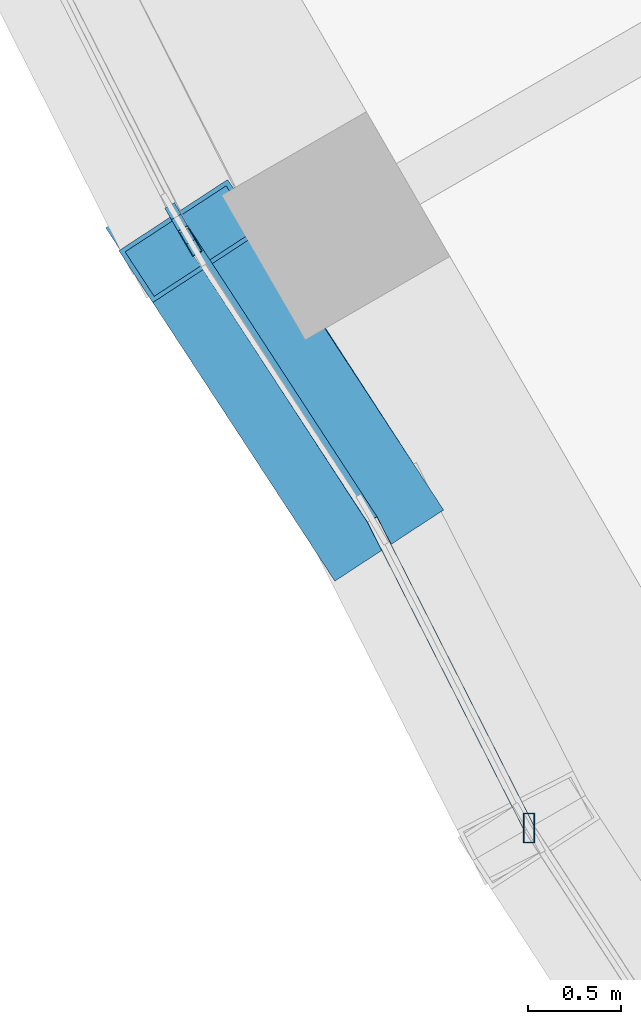
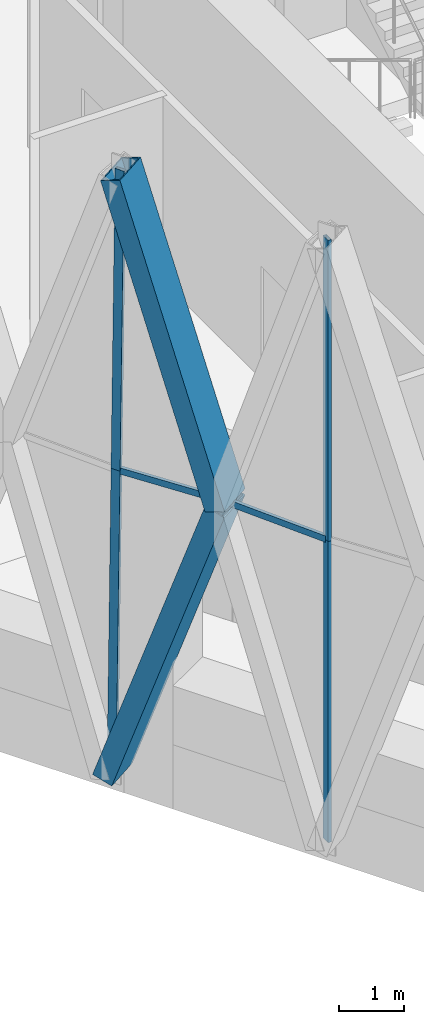
# One storey, part 3 of 22: 8 members, 2 elements without a shape of their own.
"""IFC4 building model written with IfcOpenShell, lengths in metres."""

import ifcopenshell
import ifcopenshell.guid

model = None  # the IFC model being written
_history = None  # IfcOwnerHistory: only IFC2X3 demands one
_inside = {}  # id of a spatial element -> (the spatial element, [elements in it])
_under = {}  # id of a project, library or spatial element -> (it, [spatial elements below it])
_declared = {}  # id of a project -> (the project, [libraries it declares])
_typed = {}  # id of a type object -> (the type object, [elements of that type])
_made_of = {}  # id of a material, layer set ... -> (it, [elements and type objects made of it])


def new_model(schema):
    """Start an empty IFC model of exactly this schema.

    Asked for "IFC4X3", IfcOpenShell would pick the latest addendum, in which some entities
    have other attributes; the version numbers below select the first issue.
    IFC2X3 requires an IfcOwnerHistory on every rooted entity: one is made here for all.
    """
    global model, _history
    if schema == "IFC4X3":
        model = ifcopenshell.file(schema_version=(4, 3, 0, 0))
    else:
        model = ifcopenshell.file(schema=schema)
    _inside.clear()
    _under.clear()
    _declared.clear()
    _typed.clear()
    _made_of.clear()
    _history = None
    if model.schema == "IFC2X3":
        org = make("IfcOrganization", Name="unknown")
        user = make(
            "IfcPersonAndOrganization",
            ThePerson=make("IfcPerson", FamilyName="unknown"),
            TheOrganization=org,
        )
        app = make(
            "IfcApplication",
            ApplicationDeveloper=org,
            Version="unknown",
            ApplicationFullName="unknown",
            ApplicationIdentifier="unknown",
        )
        _history = make(
            "IfcOwnerHistory",
            OwningUser=user,
            OwningApplication=app,
            ChangeAction="ADDED",
            CreationDate=0,
        )
    return model


def make(cls, **values):
    """One entity of the class cls with the attributes given. An attribute that is None is left unset."""
    return model.create_entity(
        cls, **{name: value for name, value in values.items() if value is not None}
    )


def rooted(cls, **values):
    """An entity with a GlobalId (a new one), such as an element, a storey or a relation."""
    return make(cls, GlobalId=ifcopenshell.guid.new(), OwnerHistory=_history, **values)


def si_unit(unit_type, name, prefix=None):
    """IfcSIUnit, for example si_unit("LENGTHUNIT", "METRE", prefix="MILLI")."""
    return make("IfcSIUnit", UnitType=unit_type, Prefix=prefix, Name=name)


def assignment(units):
    """IfcUnitAssignment: the units of a project."""
    return None if units is None else make("IfcUnitAssignment", Units=units)


def point(xyz):
    """IfcCartesianPoint."""
    return None if xyz is None else make("IfcCartesianPoint", Coordinates=xyz)


def direction(xyz):
    """IfcDirection."""
    return None if xyz is None else make("IfcDirection", DirectionRatios=xyz)


def frame(location, z_axis=None, x_axis=None):
    """IfcAxis2Placement3D, a coordinate frame: its origin and axes. An axis left out is left unset."""
    return make(
        "IfcAxis2Placement3D",
        Location=point(location),
        Axis=direction(z_axis),
        RefDirection=direction(x_axis),
    )


def frame_2d(location, x_axis=None):
    """IfcAxis2Placement2D, a coordinate frame in the plane: its origin and x axis."""
    return make(
        "IfcAxis2Placement2D", Location=point(location), RefDirection=direction(x_axis)
    )


def origin():
    """The frame at (0, 0, 0) with its axes left unset."""
    return frame((0.0, 0.0, 0.0))


def origin_2d():
    """The frame at (0, 0) in the plane with its x axis left unset."""
    return frame_2d((0.0, 0.0))


def place(relative_to, where):
    """IfcLocalPlacement: puts the frame where relative to a parent placement (None: the world)."""
    return make(
        "IfcLocalPlacement", PlacementRelTo=relative_to, RelativePlacement=where
    )


def context(
    kind, dimensions, precision=None, world=None, true_north=None, identifier=None
):
    """IfcGeometricRepresentationContext, for example the 3D "Model" context."""
    return make(
        "IfcGeometricRepresentationContext",
        ContextIdentifier=identifier,
        ContextType=kind,
        CoordinateSpaceDimension=dimensions,
        Precision=precision,
        WorldCoordinateSystem=world,
        TrueNorth=true_north,
    )


def subcontext(parent, identifier, kind, view, scale=None):
    """IfcGeometricRepresentationSubContext, for example "Body" below "Model"."""
    return make(
        "IfcGeometricRepresentationSubContext",
        ContextIdentifier=identifier,
        ContextType=kind,
        ParentContext=parent,
        TargetScale=scale,
        TargetView=view,
    )


def project(units=None, contexts=None):
    """IfcProject with its units and contexts."""
    return rooted(
        "IfcProject",
        Name="project",
        RepresentationContexts=contexts,
        UnitsInContext=assignment(units),
    )


def spatial(cls, under=None, at=None, **own):
    """A site, building, storey or space (cls), placed at a placement, below another one or the project."""
    s = rooted(cls, ObjectPlacement=at, **own)
    if under is not None:
        _under.setdefault(under.id(), (under, []))[1].append(s)
    return s


def profile(cls, at=None, kind="AREA", **sizes):
    """A parametric profile (cls). Its sizes go by their IFC names, for example OverallWidth=200.0."""
    return make(cls, ProfileType=kind, Position=at, **sizes)


def hollow_rectangle(**sizes):
    """IfcRectangleHollowProfileDef."""
    return profile("IfcRectangleHollowProfileDef", **sizes)


def extrude(swept, where, along, depth):
    """IfcExtrudedAreaSolid: the profile swept, set in the frame where, extruded along a direction by depth."""
    return make(
        "IfcExtrudedAreaSolid",
        SweptArea=swept,
        Position=where,
        ExtrudedDirection=direction(along),
        Depth=depth,
    )


def shape(context_of_items, identifier, shape_type, items):
    """IfcShapeRepresentation: the items that make up one representation, for example the "Body"."""
    return make(
        "IfcShapeRepresentation",
        ContextOfItems=context_of_items,
        RepresentationIdentifier=identifier,
        RepresentationType=shape_type,
        Items=items,
    )


def material(Name=None, Category=None):
    """IfcMaterial."""
    return make("IfcMaterial", Name=Name, Category=Category)


def material_profile(
    of_material, cross_section, Name=None, Category=None, Priority=None
):
    """IfcMaterialProfile: a cross section and its material."""
    return make(
        "IfcMaterialProfile",
        Name=Name,
        Material=of_material,
        Profile=cross_section,
        Priority=Priority,
        Category=Category,
    )


def profile_set(profiles, Name=None, composite=None):
    """IfcMaterialProfileSet."""
    return make(
        "IfcMaterialProfileSet",
        Name=Name,
        MaterialProfiles=profiles,
        CompositeProfile=composite,
    )


def made_of(thing, what):
    """Note that an element or type object is made of a material, layer set ...; save() writes the relation."""
    if what is not None:
        _made_of.setdefault(what.id(), (what, []))[1].append(thing)
    return thing


def type_object(cls, material=None, **own):
    """A type object (cls), such as IfcWallType, which elements share."""
    return made_of(rooted(cls, **own), material)


def element(
    cls,
    number,
    at=None,
    inside=None,
    cuts=None,
    type_object=None,
    material=None,
    context=None,
    identifier="Body",
    shape_type=None,
    held_by="IfcProductDefinitionShape",
    body=None,
    shapes=None,
    **own,
):
    """One element of the class cls, such as IfcWall. Its Tag is "e" and its number.

    at: its placement. inside: the storey or other place that contains it. cuts: it is an
    opening in that element (IfcRelVoidsElement). A single representation is given by context,
    identifier, shape_type and body (its items); several are given by shapes. held_by: the class
    of the entity that holds the representations. save() writes the other relations.
    """
    e = rooted(cls, Tag="e%d" % number, ObjectPlacement=at, **own)
    if body is not None:
        shapes = [shape(context, identifier, shape_type, body)]
    if shapes is not None:
        e.Representation = make(held_by, Representations=shapes)
    if inside is not None:
        _inside.setdefault(inside.id(), (inside, []))[1].append(e)
    if cuts is not None:
        rooted(
            "IfcRelVoidsElement", RelatingBuildingElement=cuts, RelatedOpeningElement=e
        )
    if type_object is not None:
        _typed.setdefault(type_object.id(), (type_object, []))[1].append(e)
    return made_of(e, material)


def aggregate(whole, parts):
    """IfcRelAggregates: a whole, such as a stair, and the parts it consists of."""
    return rooted("IfcRelAggregates", RelatingObject=whole, RelatedObjects=parts)


def save(model, path):
    """Write the relations noted so far, then the file.

    IfcRelAggregates (storeys below a building ...), IfcRelContainedInSpatialStructure (elements
    in a storey), IfcRelDefinesByType, IfcRelAssociatesMaterial and IfcRelDeclares: one each for
    every whole, place, type object, material and project.
    """
    for whole, parts in _under.values():
        aggregate(whole, parts)
    for where, things in _inside.values():
        rooted(
            "IfcRelContainedInSpatialStructure",
            RelatedElements=things,
            RelatingStructure=where,
        )
    for kind, things in _typed.values():
        rooted("IfcRelDefinesByType", RelatedObjects=things, RelatingType=kind)
    for what, things in _made_of.values():
        rooted("IfcRelAssociatesMaterial", RelatedObjects=things, RelatingMaterial=what)
    for by, libraries in _declared.values():
        rooted("IfcRelDeclares", RelatingContext=by, RelatedDefinitions=libraries)
    model.write(path)


model = new_model("IFC4")

# Units and contexts
model_context = context("Model", 3, precision=1e-05, world=origin(), true_north=direction((0.0, 1.0)))
body_context = subcontext(model_context, "Body", "Model", "MODEL_VIEW")
ifc_project = project(units=[si_unit("LENGTHUNIT", "METRE"), si_unit("AREAUNIT", "SQUARE_METRE"), si_unit("VOLUMEUNIT", "CUBIC_METRE"), si_unit("PLANEANGLEUNIT", "RADIAN"), si_unit("MASSUNIT", "GRAM", prefix="KILO")], contexts=[model_context])

# Site, building, storey
site_placement = place(None, origin())
site = spatial("IfcSite", under=ifc_project, at=site_placement, CompositionType="ELEMENT")
building_placement = place(site_placement, origin())
building = spatial("IfcBuilding", under=site, at=building_placement, Name="Ostrander Bayou Hotel Tower", CompositionType="ELEMENT")
storey_placement = place(building_placement, frame((0.0, 0.0, 245.0)))
storey = spatial("IfcBuildingStorey", under=building, at=storey_placement, Name="L60", CompositionType="ELEMENT", Elevation=245.0)

# Curtain wall, members
ifc_material_1 = material(Name="Aluminium and clear glass", Category="aluminium")
curtain_wall_type = type_object("IfcCurtainWallType", Name="CW-LAT lattice glazing", PredefinedType="NOTDEFINED", material=ifc_material_1)
curtain_wall_1_placement = place(storey_placement, origin())
curtain_wall_1 = element("IfcCurtainWall", 1, at=curtain_wall_1_placement, inside=storey, type_object=curtain_wall_type, Name="CW-LAT L60 SW 1", PredefinedType="NOTDEFINED")
ifc_material_2 = material(Name="Aluminium", Category="aluminium")
ifc_material_profile_1 = material_profile(ifc_material_2, hollow_rectangle(XDim=0.06005859375, YDim=0.159912109375, WallThickness=0.00390625, at=origin_2d()))
ifc_profile_set_1 = profile_set([ifc_material_profile_1], Name="Aluminium")
member_type_1 = type_object("IfcMemberType", Name="CW-LA mullion 60 x 160 mm", PredefinedType="MULLION", material=ifc_profile_set_1)
member_1_placement = place(storey_placement, frame((-17.112060546875, -5.5009765625, -0.60009765625), z_axis=(0.00629290177, -0.010936629283, 0.999920391595), x_axis=(0.866757633554, 0.498729590736, 0.0)))
member_1 = element("IfcMember", 2, at=member_1_placement, type_object=member_type_1, Name="CW-LAT mullion 4", PredefinedType="MULLION", context=body_context, shape_type="SweptSolid", body=[
    extrude(hollow_rectangle(XDim=0.06005859375, YDim=0.159912109375, WallThickness=0.00390625, at=origin_2d()), origin(), (0.0, 0.0, 1.0), 5.62548828125),
])
member_2_placement = place(storey_placement, frame((-17.07666015625, -5.5625, 5.02490234375), z_axis=(0.006292904751, -0.010893235121, 0.999920865258), x_axis=(0.865898279276, 0.500220121494, 0.0)))
member_2 = element("IfcMember", 3, at=member_2_placement, type_object=member_type_1, Name="CW-LAT mullion 5", PredefinedType="MULLION", context=body_context, shape_type="SweptSolid", body=[
    extrude(hollow_rectangle(XDim=0.06005859375, YDim=0.159912109375, WallThickness=0.00390625, at=origin_2d()), origin(), (0.0, 0.0, 1.0), 5.62548828125),
])
member_3_placement = place(storey_placement, frame((-15.216064453125, -8.784912109375, -0.60009765625), z_axis=(0.0, 0.0, 1.0), x_axis=(1.0, 0.0, 0.0)))
member_3 = element("IfcMember", 4, at=member_3_placement, type_object=member_type_1, Name="CW-LAT mullion 8", PredefinedType="MULLION", context=body_context, shape_type="SweptSolid", body=[
    extrude(hollow_rectangle(XDim=0.06005859375, YDim=0.159912109375, WallThickness=0.00390625, at=origin_2d()), origin(), (0.0, 0.0, 1.0), 5.625),
])
member_4_placement = place(storey_placement, frame((-15.216064453125, -8.784912109375, 5.02490234375), z_axis=(0.0, 0.0, 1.0), x_axis=(1.0, 0.0, 0.0)))
member_4 = element("IfcMember", 5, at=member_4_placement, type_object=member_type_1, Name="CW-LAT mullion 9", PredefinedType="MULLION", context=body_context, shape_type="SweptSolid", body=[
    extrude(hollow_rectangle(XDim=0.06005859375, YDim=0.159912109375, WallThickness=0.00390625, at=origin_2d()), origin(), (0.0, 0.0, 1.0), 5.625),
])
aggregate(curtain_wall_1, [member_1, member_2, member_3, member_4])

curtain_wall_2_placement = place(storey_placement, origin())
curtain_wall_2 = element("IfcCurtainWall", 6, at=curtain_wall_2_placement, inside=storey, type_object=curtain_wall_type, Name="CW-LAT L60 SW 2", PredefinedType="NOTDEFINED")
ifc_material_3 = material(Name="Aluminium", Category="aluminium")
ifc_material_profile_2 = material_profile(ifc_material_3, hollow_rectangle(XDim=0.06005859375, YDim=0.1201171875, WallThickness=0.00390625, at=origin_2d()))
ifc_profile_set_2 = profile_set([ifc_material_profile_2], Name="Aluminium")
member_type_2 = type_object("IfcMemberType", Name="CW-LA transom 60 x 120 mm", PredefinedType="USERDEFINED", material=ifc_profile_set_2)
member_5_placement = place(storey_placement, frame((-17.07666015625, -5.5625, 5.02490234375), z_axis=(0.545504102111, -0.838108152078, 0.0), x_axis=(0.838108152078, 0.545504102111, 0.0)))
member_5 = element("IfcMember", 7, at=member_5_placement, type_object=member_type_2, Name="CW-LAT transom 7", ObjectType="TRANSOM", PredefinedType="USERDEFINED", context=body_context, shape_type="SweptSolid", body=[
    extrude(hollow_rectangle(XDim=0.06005859375, YDim=0.1201171875, WallThickness=0.00390625, at=origin_2d()), origin(), (0.0, 0.0, 1.0), 1.863037109375),
])
member_6_placement = place(storey_placement, frame((-15.216064453125, -8.784912109375, 5.02490234375), z_axis=(-0.453126671976, 0.891446139228, 0.0), x_axis=(-0.891446139228, -0.453126671976, 0.0)))
member_6 = element("IfcMember", 8, at=member_6_placement, type_object=member_type_2, Name="CW-LAT transom 10", ObjectType="TRANSOM", PredefinedType="USERDEFINED", context=body_context, shape_type="SweptSolid", body=[
    extrude(hollow_rectangle(XDim=0.06005859375, YDim=0.1201171875, WallThickness=0.00390625, at=origin_2d()), origin(), (0.0, 0.0, 1.0), 1.863037109375),
])
aggregate(curtain_wall_2, [member_5, member_6])

# Members
ifc_material_4 = material(Name="Steel ASTM A572 Gr 50", Category="steel")
ifc_material_profile_3 = material_profile(ifc_material_4, hollow_rectangle(XDim=0.699951171875, YDim=0.35009765625, WallThickness=0.02490234375, at=origin_2d()))
ifc_profile_set_3 = profile_set([ifc_material_profile_3], Name="Steel ASTM A572 Gr 50")
member_type_3 = type_object("IfcMemberType", Name="LT1 lattice member box 700 x 350 x 25 mm", PredefinedType="BRACE", material=ifc_profile_set_3)
member_7_placement = place(storey_placement, frame((-16.060302734375, -7.1240234375, 5.02490234375), z_axis=(-0.176819467009, 0.272863467195, -0.94566400183), x_axis=(-0.839204195892, -0.54381643741, 0.0)))
element("IfcMember", 9, at=member_7_placement, inside=storey, type_object=member_type_3, Name="LT1 L60 SW 5", PredefinedType="BRACE", context=body_context, shape_type="SweptSolid", body=[
    extrude(hollow_rectangle(XDim=0.699951171875, YDim=0.35009765625, WallThickness=0.02490234375, at=origin_2d()), origin(), (0.0, 0.0, 1.0), 5.9482421875),
])
member_8_placement = place(storey_placement, frame((-16.060302734375, -7.1240234375, 5.02490234375), z_axis=(-0.166159795937, 0.254119448988, 0.952792856743), x_axis=(-0.836962415651, -0.547260372024, 0.0)))
element("IfcMember", 10, at=member_8_placement, inside=storey, type_object=member_type_3, Name="LT1 L60 SW 6", PredefinedType="BRACE", context=body_context, shape_type="SweptSolid", body=[
    extrude(hollow_rectangle(XDim=0.699951171875, YDim=0.35009765625, WallThickness=0.02490234375, at=origin_2d()), origin(), (0.0, 0.0, 1.0), 5.90380859375),
])

save(model, "model.ifc")
